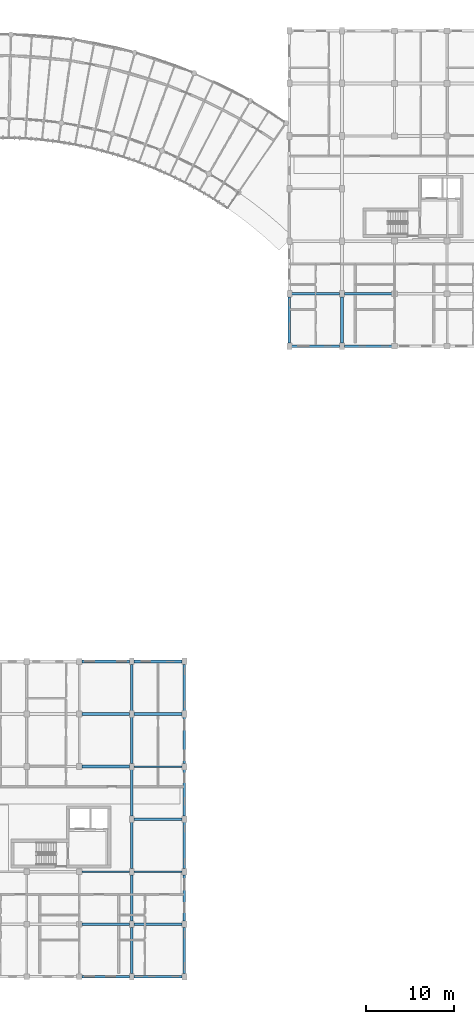
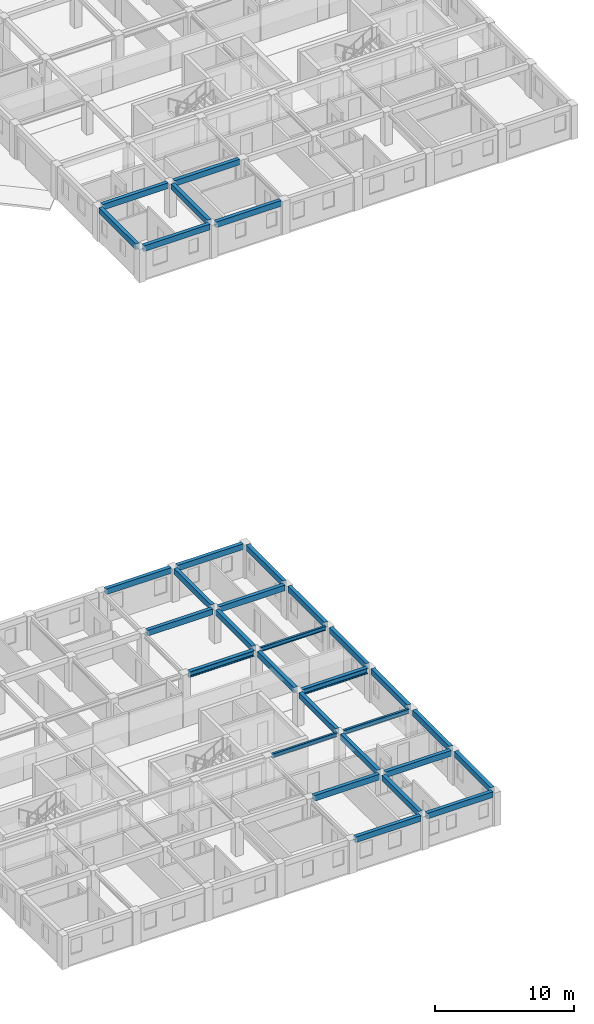
# One storey, part 36 of 100: 31 beams.
"""IFC4 building model written with IfcOpenShell, lengths in metres."""

from ifc_helpers import new_model, si_unit, direction, frame, origin, origin_2d, place, context, subcontext, project, spatial, rectangle, i_section, extrude, material, material_profile, profile_set, type_object, element, save


model = new_model("IFC4")

# Units and contexts
model_context = context("Model", 3, precision=1e-05, world=origin(), true_north=direction((0.0, 1.0)))
body_context = subcontext(model_context, "Body", "Model", "MODEL_VIEW")
ifc_project = project(units=[si_unit("LENGTHUNIT", "METRE"), si_unit("AREAUNIT", "SQUARE_METRE"), si_unit("VOLUMEUNIT", "CUBIC_METRE"), si_unit("PLANEANGLEUNIT", "RADIAN"), si_unit("MASSUNIT", "GRAM", prefix="KILO"), si_unit("POWERUNIT", "WATT"), si_unit("THERMODYNAMICTEMPERATUREUNIT", "KELVIN")], contexts=[model_context])

# Site, building, storey
site_placement = place(None, origin())
site = spatial("IfcSite", under=ifc_project, at=site_placement, CompositionType="ELEMENT")
building_placement = place(site_placement, origin())
building = spatial("IfcBuilding", under=site, at=building_placement, Name="Ruvembo Vaulted Housing Court", CompositionType="ELEMENT")
storey_placement = place(building_placement, frame((0.0, 0.0, 14.10009765625)))
storey = spatial("IfcBuildingStorey", under=building, at=storey_placement, Name="L04", CompositionType="ELEMENT", Elevation=14.10009765625)

# Beams
ifc_material_1 = material(Name="Steel S355J2", Category="steel")
ifc_material_profile_1 = material_profile(ifc_material_1, i_section(OverallWidth=0.300048828125, OverallDepth=0.5, WebThickness=0.014404296875, FlangeThickness=0.028076171875, FilletRadius=0.027099609375, at=origin_2d()), Name="HEB 320")
ifc_profile_set_1 = profile_set([ifc_material_profile_1], Name="Steel S355J2")
beam_type_1 = type_object("IfcBeamType", Name="BM-ST-HEB320", PredefinedType="BEAM", material=ifc_profile_set_1)
beam_1_placement = place(storey_placement, frame((132.260009765625, 18.0, 2.67578125), z_axis=(1.0, 0.0, 0.0), x_axis=(0.0, 1.0, 0.0)))
element("IfcBeam", 1, at=beam_1_placement, inside=storey, type_object=beam_type_1, Name="L04 Grid Beam X #2033", PredefinedType="BEAM", context=body_context, shape_type="SweptSolid", body=[
    extrude(i_section(OverallWidth=0.300048828125, OverallDepth=0.5, WebThickness=0.014404296875, FlangeThickness=0.028076171875, FilletRadius=0.027099609375, at=origin_2d()), origin(), (0.0, 0.0, 1.0), 5.47998046875),
])
beam_2_placement = place(storey_placement, frame((126.31005859375, 24.0, 2.67578125), z_axis=(1.0, 0.0, 0.0), x_axis=(0.0, 1.0, 0.0)))
element("IfcBeam", 2, at=beam_2_placement, inside=storey, type_object=beam_type_1, Name="L04 Grid Beam X #2039", PredefinedType="BEAM", context=body_context, shape_type="SweptSolid", body=[
    extrude(i_section(OverallWidth=0.300048828125, OverallDepth=0.5, WebThickness=0.014404296875, FlangeThickness=0.028076171875, FilletRadius=0.027099609375, at=origin_2d()), origin(), (0.0, 0.0, 1.0), 5.429931640625),
])
ifc_material_profile_2 = material_profile(ifc_material_1, i_section(OverallWidth=0.169921875, OverallDepth=0.360107421875, WebThickness=0.008056640625, FlangeThickness=0.0126953125, FilletRadius=0.01806640625, at=origin_2d()), Name="IPE 360")
ifc_profile_set_2 = profile_set([ifc_material_profile_2], Name="Steel S355J2")
beam_type_2 = type_object("IfcBeamType", Name="BM-ST-IPE360", PredefinedType="BEAM", material=ifc_profile_set_2)
beam_3_placement = place(storey_placement, frame((126.31005859375, 12.0, 2.745849609375), z_axis=(1.0, 0.0, 0.0), x_axis=(0.0, 1.0, 0.0)))
element("IfcBeam", 3, at=beam_3_placement, inside=storey, type_object=beam_type_2, Name="L04 Grid Beam X #2025", PredefinedType="BEAM", context=body_context, shape_type="SweptSolid", body=[
    extrude(i_section(OverallWidth=0.169921875, OverallDepth=0.360107421875, WebThickness=0.008056640625, FlangeThickness=0.0126953125, FilletRadius=0.01806640625, at=origin_2d()), origin(), (0.0, 0.0, 1.0), 5.429931640625),
])
beam_4_placement = place(storey_placement, frame((132.260009765625, 24.0, 2.745849609375), z_axis=(1.0, 0.0, 0.0), x_axis=(0.0, 1.0, 0.0)))
element("IfcBeam", 4, at=beam_4_placement, inside=storey, type_object=beam_type_2, Name="L04 Grid Beam X #2040", PredefinedType="BEAM", context=body_context, shape_type="SweptSolid", body=[
    extrude(i_section(OverallWidth=0.169921875, OverallDepth=0.360107421875, WebThickness=0.008056640625, FlangeThickness=0.0126953125, FilletRadius=0.01806640625, at=origin_2d()), origin(), (0.0, 0.0, 1.0), 5.47998046875),
])
ifc_material_profile_3 = material_profile(ifc_material_1, i_section(OverallWidth=0.179931640625, OverallDepth=0.39990234375, WebThickness=0.008544921875, FlangeThickness=0.013427734375, FilletRadius=0.02099609375, at=origin_2d()), Name="IPE 400")
ifc_profile_set_3 = profile_set([ifc_material_profile_3], Name="Steel S355J2")
beam_type_3 = type_object("IfcBeamType", Name="BM-ST-IPE400", PredefinedType="BEAM", material=ifc_profile_set_3)
beam_5_placement = place(storey_placement, frame((132.260009765625, 12.0, 2.725830078125), z_axis=(1.0, 0.0, 0.0), x_axis=(0.0, 1.0, 0.0)))
element("IfcBeam", 5, at=beam_5_placement, inside=storey, type_object=beam_type_3, Name="L04 Grid Beam X #2026", PredefinedType="BEAM", context=body_context, shape_type="SweptSolid", body=[
    extrude(i_section(OverallWidth=0.179931640625, OverallDepth=0.39990234375, WebThickness=0.008544921875, FlangeThickness=0.013427734375, FilletRadius=0.02099609375, at=origin_2d()), origin(), (0.0, 0.0, 1.0), 5.47998046875),
])
ifc_material_2 = material(Name="Concrete C35/45", Category="concrete")
ifc_material_profile_4 = material_profile(ifc_material_2, rectangle(XDim=0.300048828125, YDim=0.5, at=origin_2d()), Name="RC 300x500")
ifc_profile_set_4 = profile_set([ifc_material_profile_4], Name="Concrete C35/45")
beam_type_4 = type_object("IfcBeamType", Name="SP-RC-300x500", PredefinedType="SPANDREL", material=ifc_profile_set_4)
beam_6_placement = place(storey_placement, frame((126.31005859375, 0.0, 2.699951171875), z_axis=(1.0, 0.0, 0.0), x_axis=(0.0, 1.0, 0.0)))
element("IfcBeam", 6, at=beam_6_placement, inside=storey, type_object=beam_type_4, Name="L04 Grid Beam X #2001", PredefinedType="SPANDREL", context=body_context, shape_type="SweptSolid", body=[
    extrude(rectangle(XDim=0.300048828125, YDim=0.5, at=origin_2d()), origin(), (0.0, 0.0, 1.0), 5.429931640625),
])
beam_7_placement = place(storey_placement, frame((132.260009765625, 0.0, 2.699951171875), z_axis=(1.0, 0.0, 0.0), x_axis=(0.0, 1.0, 0.0)))
element("IfcBeam", 7, at=beam_7_placement, inside=storey, type_object=beam_type_4, Name="L04 Grid Beam X #2002", PredefinedType="SPANDREL", context=body_context, shape_type="SweptSolid", body=[
    extrude(rectangle(XDim=0.300048828125, YDim=0.5, at=origin_2d()), origin(), (0.0, 0.0, 1.0), 5.47998046875),
])
beam_8_placement = place(storey_placement, frame((126.31005859375, 6.0, 2.699951171875), z_axis=(1.0, 0.0, 0.0), x_axis=(0.0, 1.0, 0.0)))
element("IfcBeam", 8, at=beam_8_placement, inside=storey, type_object=beam_type_4, Name="L04 Grid Beam X #2013", PredefinedType="SPANDREL", context=body_context, shape_type="SweptSolid", body=[
    extrude(rectangle(XDim=0.300048828125, YDim=0.5, at=origin_2d()), origin(), (0.0, 0.0, 1.0), 5.429931640625),
])
beam_9_placement = place(storey_placement, frame((132.260009765625, 6.0, 2.699951171875), z_axis=(1.0, 0.0, 0.0), x_axis=(0.0, 1.0, 0.0)))
element("IfcBeam", 9, at=beam_9_placement, inside=storey, type_object=beam_type_4, Name="L04 Grid Beam X #2014", PredefinedType="SPANDREL", context=body_context, shape_type="SweptSolid", body=[
    extrude(rectangle(XDim=0.300048828125, YDim=0.5, at=origin_2d()), origin(), (0.0, 0.0, 1.0), 5.47998046875),
])
beam_10_placement = place(storey_placement, frame((126.31005859375, 30.0, 2.699951171875), z_axis=(1.0, 0.0, 0.0), x_axis=(0.0, 1.0, 0.0)))
element("IfcBeam", 10, at=beam_10_placement, inside=storey, type_object=beam_type_4, Name="L04 Grid Beam X #2051", PredefinedType="SPANDREL", context=body_context, shape_type="SweptSolid", body=[
    extrude(rectangle(XDim=0.300048828125, YDim=0.5, at=origin_2d()), origin(), (0.0, 0.0, 1.0), 5.429931640625),
])
beam_11_placement = place(storey_placement, frame((132.260009765625, 30.0, 2.699951171875), z_axis=(1.0, 0.0, 0.0), x_axis=(0.0, 1.0, 0.0)))
element("IfcBeam", 11, at=beam_11_placement, inside=storey, type_object=beam_type_4, Name="L04 Grid Beam X #2052", PredefinedType="SPANDREL", context=body_context, shape_type="SweptSolid", body=[
    extrude(rectangle(XDim=0.300048828125, YDim=0.5, at=origin_2d()), origin(), (0.0, 0.0, 1.0), 5.47998046875),
])
beam_12_placement = place(storey_placement, frame((126.31005859375, 36.0, 2.699951171875), z_axis=(1.0, 0.0, 0.0), x_axis=(0.0, 1.0, 0.0)))
element("IfcBeam", 12, at=beam_12_placement, inside=storey, type_object=beam_type_4, Name="L04 Grid Beam X #2063", PredefinedType="SPANDREL", context=body_context, shape_type="SweptSolid", body=[
    extrude(rectangle(XDim=0.300048828125, YDim=0.5, at=origin_2d()), origin(), (0.0, 0.0, 1.0), 5.429931640625),
])
for number, where, z_axis, x_axis, name in (
    (13, (132.260009765625, 36.0, 2.699951171875), (1.0, 0.0, 0.0), (0.0, 1.0, 0.0), "L04 Grid Beam X #2064"),
    (14, (150.260009765625, 72.0, 2.699951171875), (1.0, 0.0, 0.0), (0.0, 1.0, 0.0), "L04 Grid Beam X #2071"),
):
    element("IfcBeam", number, at=place(storey_placement, frame(where, z_axis=z_axis, x_axis=x_axis)), inside=storey, type_object=beam_type_4, Name=name, PredefinedType="SPANDREL", context=body_context, shape_type="SweptSolid", body=[
        extrude(rectangle(XDim=0.300048828125, YDim=0.5, at=origin_2d()), origin(), (0.0, 0.0, 1.0), 5.47998046875),
    ])
beam_13_placement = place(storey_placement, frame((156.260009765625, 72.0, 2.699951171875), z_axis=(1.0, 0.0, 0.0), x_axis=(0.0, 1.0, 0.0)))
element("IfcBeam", 15, at=beam_13_placement, inside=storey, type_object=beam_type_4, Name="L04 Grid Beam X #2072", PredefinedType="SPANDREL", context=body_context, shape_type="SweptSolid", body=[
    extrude(rectangle(XDim=0.300048828125, YDim=0.5, at=origin_2d()), origin(), (0.0, 0.0, 1.0), 5.429931640625),
])
beam_14_placement = place(storey_placement, frame((150.260009765625, 78.0, 2.699951171875), z_axis=(1.0, 0.0, 0.0), x_axis=(0.0, 1.0, 0.0)))
element("IfcBeam", 16, at=beam_14_placement, inside=storey, type_object=beam_type_4, Name="L04 Grid Beam X #2083", PredefinedType="SPANDREL", context=body_context, shape_type="SweptSolid", body=[
    extrude(rectangle(XDim=0.300048828125, YDim=0.5, at=origin_2d()), origin(), (0.0, 0.0, 1.0), 5.47998046875),
])
beam_15_placement = place(storey_placement, frame((156.260009765625, 78.0, 2.699951171875), z_axis=(1.0, 0.0, 0.0), x_axis=(0.0, 1.0, 0.0)))
element("IfcBeam", 17, at=beam_15_placement, inside=storey, type_object=beam_type_4, Name="L04 Grid Beam X #2084", PredefinedType="SPANDREL", context=body_context, shape_type="SweptSolid", body=[
    extrude(rectangle(XDim=0.300048828125, YDim=0.5, at=origin_2d()), origin(), (0.0, 0.0, 1.0), 5.429931640625),
])
for number, where, z_axis, x_axis, name in (
    (18, (132.0, 0.360107421875, 2.699951171875), (0.0, 1.0, 0.0), (-1.0, 0.0, 0.0), "L04 Grid Beam Y #2238"),
    (19, (132.0, 6.360107421875, 2.699951171875), (0.0, 1.0, 0.0), (-1.0, 0.0, 0.0), "L04 Grid Beam Y #2239"),
    (20, (132.0, 12.360107421875, 2.699951171875), (0.0, 1.0, 0.0), (-1.0, 0.0, 0.0), "L04 Grid Beam Y #2240"),
    (21, (132.0, 18.360107421875, 2.699951171875), (0.0, 1.0, 0.0), (-1.0, 0.0, 0.0), "L04 Grid Beam Y #2241"),
    (22, (132.0, 24.360107421875, 2.699951171875), (0.0, 1.0, 0.0), (-1.0, 0.0, 0.0), "L04 Grid Beam Y #2242"),
    (23, (132.0, 30.360107421875, 2.699951171875), (0.0, 1.0, 0.0), (-1.0, 0.0, 0.0), "L04 Grid Beam Y #2243"),
    (24, (138.0, 0.360107421875, 2.699951171875), (0.0, 1.0, 0.0), (-1.0, 0.0, 0.0), "L04 Grid Beam Y #2244"),
    (25, (138.0, 6.360107421875, 2.699951171875), (0.0, 1.0, 0.0), (-1.0, 0.0, 0.0), "L04 Grid Beam Y #2245"),
    (26, (138.0, 12.360107421875, 2.699951171875), (0.0, 1.0, 0.0), (-1.0, 0.0, 0.0), "L04 Grid Beam Y #2246"),
    (27, (138.0, 18.360107421875, 2.699951171875), (0.0, 1.0, 0.0), (-1.0, 0.0, 0.0), "L04 Grid Beam Y #2247"),
    (28, (138.0, 24.360107421875, 2.699951171875), (0.0, 1.0, 0.0), (-1.0, 0.0, 0.0), "L04 Grid Beam Y #2248"),
    (29, (138.0, 30.360107421875, 2.699951171875), (0.0, 1.0, 0.0), (-1.0, 0.0, 0.0), "L04 Grid Beam Y #2249"),
    (30, (150.0, 72.360107421875, 2.699951171875), (0.0, 1.0, 0.0), (-1.0, 0.0, 0.0), "L04 Grid Beam Y #2250"),
    (31, (156.0, 72.360107421875, 2.699951171875), (0.0, 1.0, 0.0), (-1.0, 0.0, 0.0), "L04 Grid Beam Y #2256"),
):
    element("IfcBeam", number, at=place(storey_placement, frame(where, z_axis=z_axis, x_axis=x_axis)), inside=storey, type_object=beam_type_4, Name=name, PredefinedType="SPANDREL", context=body_context, shape_type="SweptSolid", body=[
        extrude(rectangle(XDim=0.300048828125, YDim=0.5, at=origin_2d()), origin(), (0.0, 0.0, 1.0), 5.27978515625),
    ])

save(model, "model.ifc")
